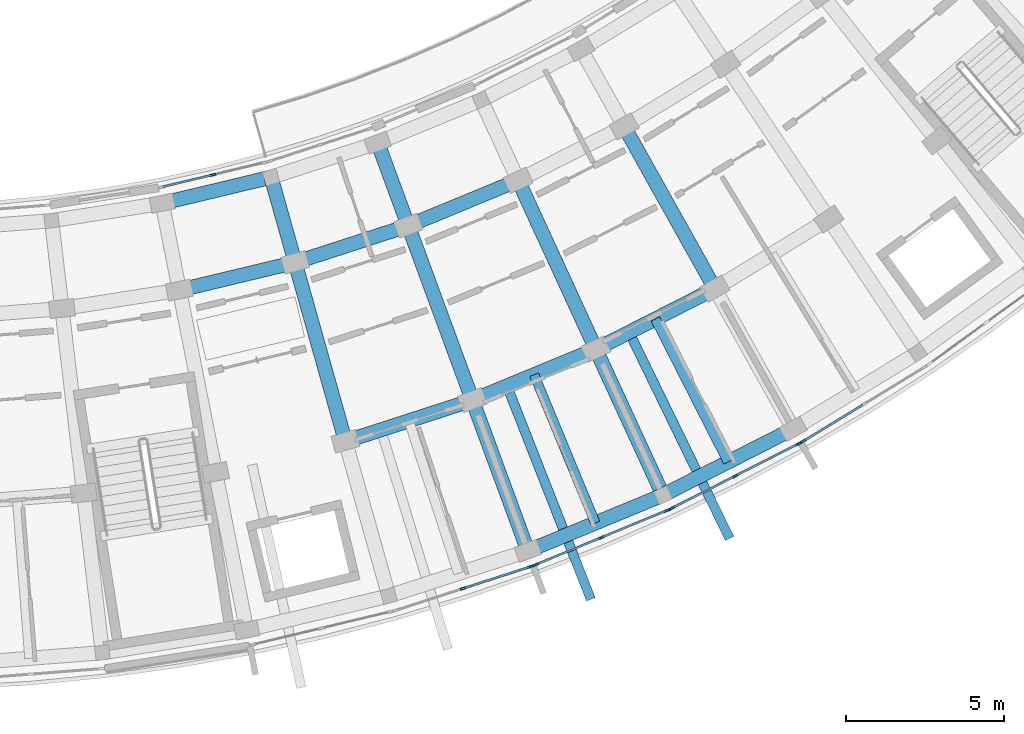
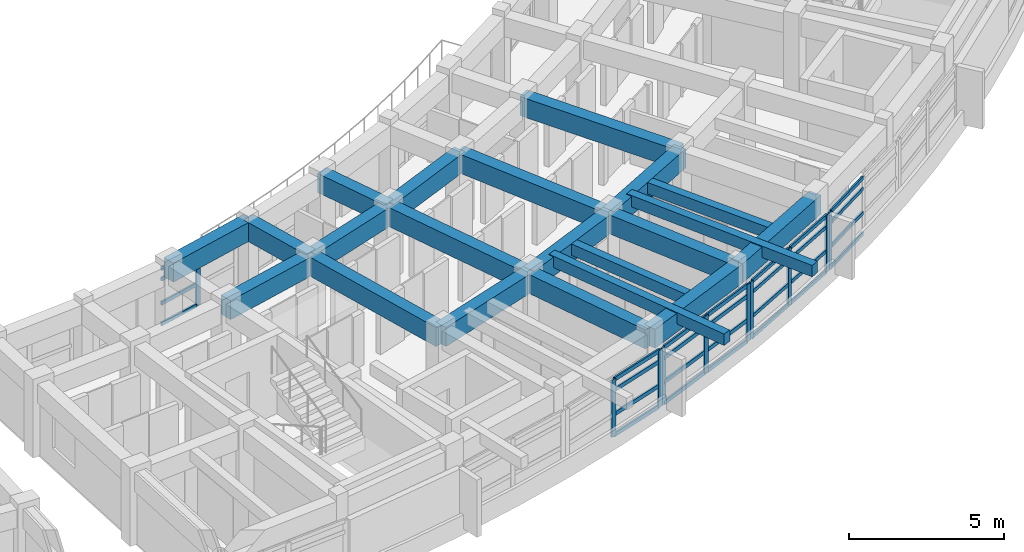
# One storey, part 17 of 56: 38 members, 21 beams, 5 elements without a shape of their own.
"""IFC4 building model written with IfcOpenShell, lengths in metres."""

from ifc_helpers import new_model, si_unit, direction, frame, origin, origin_2d, place, context, subcontext, project, spatial, rectangle, extrude, material, material_profile, profile_set, type_object, element, aggregate, save


model = new_model("IFC4")

# Units and contexts
model_context = context("Model", 3, precision=1e-05, world=origin(), true_north=direction((0.0, 1.0)))
body_context = subcontext(model_context, "Body", "Model", "MODEL_VIEW")
ifc_project = project(units=[si_unit("LENGTHUNIT", "METRE"), si_unit("AREAUNIT", "SQUARE_METRE"), si_unit("VOLUMEUNIT", "CUBIC_METRE"), si_unit("PLANEANGLEUNIT", "RADIAN"), si_unit("MASSUNIT", "GRAM", prefix="KILO")], contexts=[model_context])

# Site, building, storey
site_placement = place(None, origin())
site = spatial("IfcSite", under=ifc_project, at=site_placement, CompositionType="ELEMENT")
building_placement = place(site_placement, origin())
building = spatial("IfcBuilding", under=site, at=building_placement, Name="Zimvara Arc Housing Community", CompositionType="ELEMENT")
storey_placement = place(building_placement, frame((0.0, 0.0, 11.199951171875)))
storey = spatial("IfcBuildingStorey", under=building, at=storey_placement, Name="L03", CompositionType="ELEMENT", Elevation=11.199951171875)

# Beams
ifc_material_1 = material(Name="Concrete C40/50", Category="concrete")
ifc_material_profile_1 = material_profile(ifc_material_1, rectangle(XDim=0.300048828125, YDim=0.449951171875, at=origin_2d()), Name="RC 300x450")
ifc_profile_set_1 = profile_set([ifc_material_profile_1], Name="Concrete C40/50")
beam_type_1 = type_object("IfcBeamType", Name="BM-RC-300x450", PredefinedType="JOIST", material=ifc_profile_set_1)
beam_1_placement = place(storey_placement, frame((146.509033203125, 60.17578125, 2.635009765625), z_axis=(0.381881623909, -0.924211244966, 0.0), x_axis=(0.924211244966, 0.381881623909, 0.0)))
element("IfcBeam", 1, at=beam_1_placement, inside=storey, type_object=beam_type_1, Name="bm:blkD:L03:joist:b4", PredefinedType="JOIST", context=body_context, shape_type="SweptSolid", body=[
    extrude(rectangle(XDim=0.300048828125, YDim=0.449951171875, at=origin_2d()), origin(), (0.0, 0.0, 1.0), 5.076171875),
])
beam_2_placement = place(storey_placement, frame((150.343994140625, 61.939453125, 2.635009765625), z_axis=(0.453225300679, -0.891395998883, 0.0), x_axis=(0.891395998883, 0.453225300679, 0.0)))
element("IfcBeam", 2, at=beam_2_placement, inside=storey, type_object=beam_type_1, Name="bm:blkD:L03:joist:b5", PredefinedType="JOIST", context=body_context, shape_type="SweptSolid", body=[
    extrude(rectangle(XDim=0.300048828125, YDim=0.449951171875, at=origin_2d()), origin(), (0.0, 0.0, 1.0), 5.075927734375),
])
beam_3_placement = place(storey_placement, frame((145.662841796875, 59.789794921875, 2.6650390625), z_axis=(0.365839634119, -0.930677904598, 0.0), x_axis=(0.930677904598, 0.365839634119, 0.0)))
element("IfcBeam", 3, at=beam_3_placement, inside=storey, type_object=beam_type_1, Name="bm:blkD:L03:cant_out:b4", PredefinedType="JOIST", context=body_context, shape_type="SweptSolid", body=[
    extrude(rectangle(XDim=0.300048828125, YDim=0.449951171875, at=origin_2d()), origin(), (0.0, 0.0, 1.0), 7.219970703125),
])
beam_4_placement = place(storey_placement, frame((149.530517578125, 61.488525390625, 2.6650390625), z_axis=(0.437747988068, -0.89909771379, 0.0), x_axis=(0.89909771379, 0.437747988068, 0.0)))
element("IfcBeam", 4, at=beam_4_placement, inside=storey, type_object=beam_type_1, Name="bm:blkD:L03:cant_out:b5", PredefinedType="JOIST", context=body_context, shape_type="SweptSolid", body=[
    extrude(rectangle(XDim=0.300048828125, YDim=0.449951171875, at=origin_2d()), origin(), (0.0, 0.0, 1.0), 7.22021484375),
])
ifc_material_2 = material(Name="Concrete C40/50", Category="concrete")
ifc_material_profile_2 = material_profile(ifc_material_2, rectangle(XDim=0.449951171875, YDim=0.75, at=origin_2d()), Name="RC 450x750")
ifc_profile_set_2 = profile_set([ifc_material_profile_2], Name="Concrete C40/50")
beam_type_2 = type_object("IfcBeamType", Name="BM-RC-450x750", PredefinedType="BEAM", material=ifc_profile_set_2)
beam_5_placement = place(storey_placement, frame((134.743896484375, 65.599365234375, 2.485107421875), z_axis=(0.972576519525, 0.232583132813, 0.0), x_axis=(-0.232583132813, 0.972576519525, 0.0)))
element("IfcBeam", 5, at=beam_5_placement, inside=storey, type_object=beam_type_2, Name="bm:blkD:L03:chord:r0:b2", PredefinedType="BEAM", context=body_context, shape_type="SweptSolid", body=[
    extrude(rectangle(XDim=0.449951171875, YDim=0.75, at=origin_2d()), origin(), (0.0, 0.0, 1.0), 3.542724609375),
])
beam_6_placement = place(storey_placement, frame((135.28759765625, 62.8525390625, 2.485107421875), z_axis=(0.97257251046, 0.232599896598, 0.0), x_axis=(-0.232599896598, 0.97257251046, 0.0)))
element("IfcBeam", 6, at=beam_6_placement, inside=storey, type_object=beam_type_2, Name="bm:blkD:L03:chord:r1:b2", PredefinedType="BEAM", context=body_context, shape_type="SweptSolid", body=[
    extrude(rectangle(XDim=0.449951171875, YDim=0.75, at=origin_2d()), origin(), (0.0, 0.0, 1.0), 3.762939453125),
])
beam_7_placement = place(storey_placement, frame((138.947265625, 63.727783203125, 2.485107421875), z_axis=(0.951316439628, 0.308215884881, 0.0), x_axis=(-0.308215884881, 0.951316439628, 0.0)))
element("IfcBeam", 7, at=beam_7_placement, inside=storey, type_object=beam_type_2, Name="bm:blkD:L03:chord:r1:b3", PredefinedType="BEAM", context=body_context, shape_type="SweptSolid", body=[
    extrude(rectangle(XDim=0.449951171875, YDim=0.75, at=origin_2d()), origin(), (0.0, 0.0, 1.0), 3.762451171875),
])
beam_8_placement = place(storey_placement, frame((142.526611328125, 64.887451171875, 2.485107421875), z_axis=(0.924224591922, 0.381849320658, 0.0), x_axis=(-0.381849320658, 0.924224591922, 0.0)))
element("IfcBeam", 8, at=beam_8_placement, inside=storey, type_object=beam_type_2, Name="bm:blkD:L03:chord:r1:b4", PredefinedType="BEAM", context=body_context, shape_type="SweptSolid", body=[
    extrude(rectangle(XDim=0.449951171875, YDim=0.75, at=origin_2d()), origin(), (0.0, 0.0, 1.0), 3.7626953125),
])
beam_9_placement = place(storey_placement, frame((140.538330078125, 58.067138671875, 2.485107421875), z_axis=(0.951319487454, 0.308206477528, 0.0), x_axis=(-0.308206477528, 0.951319487454, 0.0)))
element("IfcBeam", 9, at=beam_9_placement, inside=storey, type_object=beam_type_2, Name="bm:blkD:L03:chord:r2:b3", PredefinedType="BEAM", context=body_context, shape_type="SweptSolid", body=[
    extrude(rectangle(XDim=0.449951171875, YDim=0.75, at=origin_2d()), origin(), (0.0, 0.0, 1.0), 4.224365234375),
])
beam_10_placement = place(storey_placement, frame((144.55712890625, 59.369140625, 2.485107421875), z_axis=(0.924220191381, 0.381859971512, 0.0), x_axis=(-0.381859971512, 0.924220191381, 0.0)))
element("IfcBeam", 10, at=beam_10_placement, inside=storey, type_object=beam_type_2, Name="bm:blkD:L03:chord:r2:b4", PredefinedType="BEAM", context=body_context, shape_type="SweptSolid", body=[
    extrude(rectangle(XDim=0.449951171875, YDim=0.75, at=origin_2d()), origin(), (0.0, 0.0, 1.0), 4.22412109375),
])
beam_11_placement = place(storey_placement, frame((148.461181640625, 60.982177734375, 2.485107421875), z_axis=(0.891401751243, 0.453213986855, 0.0), x_axis=(-0.453213986855, 0.891401751243, 0.0)))
element("IfcBeam", 11, at=beam_11_placement, inside=storey, type_object=beam_type_2, Name="bm:blkD:L03:chord:r2:b5", PredefinedType="BEAM", context=body_context, shape_type="SweptSolid", body=[
    extrude(rectangle(XDim=0.449951171875, YDim=0.75, at=origin_2d()), origin(), (0.0, 0.0, 1.0), 4.224365234375),
])
beam_12_placement = place(storey_placement, frame((146.311279296875, 54.6015625, 2.485107421875), z_axis=(0.924218077134, 0.38186508861, 0.0), x_axis=(-0.38186508861, 0.924218077134, 0.0)))
element("IfcBeam", 12, at=beam_12_placement, inside=storey, type_object=beam_type_2, Name="bm:blkD:L03:chord:r3:b4", PredefinedType="BEAM", context=body_context, shape_type="SweptSolid", body=[
    extrude(rectangle(XDim=0.449951171875, YDim=0.75, at=origin_2d()), origin(), (0.0, 0.0, 1.0), 4.623046875),
])
beam_13_placement = place(storey_placement, frame((150.583984375, 56.366943359375, 2.485107421875), z_axis=(0.891386215037, 0.453244542871, 0.0), x_axis=(-0.453244542871, 0.891386215037, 0.0)))
element("IfcBeam", 13, at=beam_13_placement, inside=storey, type_object=beam_type_2, Name="bm:blkD:L03:chord:r3:b5", PredefinedType="BEAM", context=body_context, shape_type="SweptSolid", body=[
    extrude(rectangle(XDim=0.449951171875, YDim=0.75, at=origin_2d()), origin(), (0.0, 0.0, 1.0), 4.623291015625),
])
beam_14_placement = place(storey_placement, frame((138.189453125, 66.42333984375, 2.485107421875), z_axis=(0.270642050381, -0.962680050986, 0.0), x_axis=(0.962680050986, 0.270642050381, 0.0)))
element("IfcBeam", 14, at=beam_14_placement, inside=storey, type_object=beam_type_2, Name="bm:blkD:L03:rad:b3:r01", PredefinedType="BEAM", context=body_context, shape_type="SweptSolid", body=[
    extrude(rectangle(XDim=0.449951171875, YDim=0.75, at=origin_2d()), origin(), (0.0, 0.0, 1.0), 2.800048828125),
])
beam_15_placement = place(storey_placement, frame((138.947265625, 63.727783203125, 2.485107421875), z_axis=(0.270589260785, -0.962694890372, 0.0), x_axis=(0.962694890372, 0.270589260785, 0.0)))
element("IfcBeam", 15, at=beam_15_placement, inside=storey, type_object=beam_type_2, Name="bm:blkD:L03:rad:b3:r12", PredefinedType="BEAM", context=body_context, shape_type="SweptSolid", body=[
    extrude(rectangle(XDim=0.449951171875, YDim=0.75, at=origin_2d()), origin(), (0.0, 0.0, 1.0), 5.8798828125),
])
beam_16_placement = place(storey_placement, frame((141.559814453125, 67.51513671875, 2.485107421875), z_axis=(0.345297205079, -0.93849338845, 0.0), x_axis=(0.93849338845, 0.345297205079, 0.0)))
element("IfcBeam", 16, at=beam_16_placement, inside=storey, type_object=beam_type_2, Name="bm:blkD:L03:rad:b4:r01", PredefinedType="BEAM", context=body_context, shape_type="SweptSolid", body=[
    extrude(rectangle(XDim=0.449951171875, YDim=0.75, at=origin_2d()), origin(), (0.0, 0.0, 1.0), 2.7998046875),
])
beam_17_placement = place(storey_placement, frame((142.526611328125, 64.887451171875, 2.485107421875), z_axis=(0.345324356241, -0.938483398354, 0.0), x_axis=(0.938483398354, 0.345324356241, 0.0)))
element("IfcBeam", 17, at=beam_17_placement, inside=storey, type_object=beam_type_2, Name="bm:blkD:L03:rad:b4:r12", PredefinedType="BEAM", context=body_context, shape_type="SweptSolid", body=[
    extrude(rectangle(XDim=0.449951171875, YDim=0.75, at=origin_2d()), origin(), (0.0, 0.0, 1.0), 5.880126953125),
])
beam_18_placement = place(storey_placement, frame((144.55712890625, 59.369140625, 2.485107421875), z_axis=(0.345302219392, -0.938491543533, 0.0), x_axis=(0.938491543533, 0.345302219392, 0.0)))
element("IfcBeam", 18, at=beam_18_placement, inside=storey, type_object=beam_type_2, Name="bm:blkD:L03:rad:b4:r23", PredefinedType="BEAM", context=body_context, shape_type="SweptSolid", body=[
    extrude(rectangle(XDim=0.449951171875, YDim=0.75, at=origin_2d()), origin(), (0.0, 0.0, 1.0), 5.080078125),
])
beam_19_placement = place(storey_placement, frame((146.004150390625, 66.32421875, 2.485107421875), z_axis=(0.417862428621, -0.908510314056, 0.0), x_axis=(0.908510314056, 0.417862428621, 0.0)))
element("IfcBeam", 19, at=beam_19_placement, inside=storey, type_object=beam_type_2, Name="bm:blkD:L03:rad:b5:r12", PredefinedType="BEAM", context=body_context, shape_type="SweptSolid", body=[
    extrude(rectangle(XDim=0.449951171875, YDim=0.75, at=origin_2d()), origin(), (0.0, 0.0, 1.0), 5.8798828125),
])
beam_20_placement = place(storey_placement, frame((148.461181640625, 60.982177734375, 2.485107421875), z_axis=(0.417872288794, -0.90850577888, 0.0), x_axis=(0.90850577888, 0.417872288794, 0.0)))
element("IfcBeam", 20, at=beam_20_placement, inside=storey, type_object=beam_type_2, Name="bm:blkD:L03:rad:b5:r23", PredefinedType="BEAM", context=body_context, shape_type="SweptSolid", body=[
    extrude(rectangle(XDim=0.449951171875, YDim=0.75, at=origin_2d()), origin(), (0.0, 0.0, 1.0), 5.080078125),
])
beam_21_placement = place(storey_placement, frame((149.358154296875, 68.029541015625, 2.485107421875), z_axis=(0.487862302556, -0.872920599909, 0.0), x_axis=(0.872920599909, 0.487862302556, 0.0)))
element("IfcBeam", 21, at=beam_21_placement, inside=storey, type_object=beam_type_2, Name="bm:blkD:L03:rad:b6:r12", PredefinedType="BEAM", context=body_context, shape_type="SweptSolid", body=[
    extrude(rectangle(XDim=0.449951171875, YDim=0.75, at=origin_2d()), origin(), (0.0, 0.0, 1.0), 5.880126953125),
])

# Curtain wall, member
ifc_material_3 = material(Name="Anodised Aluminium AW-6063", Category="aluminium")
curtain_wall_type_1 = type_object("IfcCurtainWallType", Name="CW-SYS-06", PredefinedType="USERDEFINED", material=ifc_material_3)
curtain_wall_1_placement = place(storey_placement, origin())
curtain_wall_1 = element("IfcCurtainWall", 22, at=curtain_wall_1_placement, inside=storey, type_object=curtain_wall_type_1, Name="cw:blkD:L03:in:b2", ObjectType="CURTAIN WALL", PredefinedType="USERDEFINED")
ifc_material_4 = material(Name="Anodised Aluminium AW-6063", Category="aluminium")
ifc_material_profile_3 = material_profile(ifc_material_4, rectangle(XDim=0.06494140625, YDim=0.179931640625, at=origin_2d()), Name="ALU 65x180")
ifc_profile_set_3 = profile_set([ifc_material_profile_3], Name="Anodised Aluminium AW-6063")
member_type_1 = type_object("IfcMemberType", Name="CWM-65x150", PredefinedType="MULLION", material=ifc_profile_set_3)
member_1_placement = place(storey_placement, frame((136.3505859375, 66.497314453125, 0.0), z_axis=(0.0, 0.0, 1.0), x_axis=(-0.232596003485, 0.972573441526, 0.0)))
member_1 = element("IfcMember", 23, at=member_1_placement, type_object=member_type_1, Name="CW06 mullion 2", PredefinedType="MULLION", context=body_context, shape_type="SweptSolid", body=[
    extrude(rectangle(XDim=0.06494140625, YDim=0.179931640625, at=origin_2d()), origin(), (0.0, 0.0, 1.0), 2.25),
])

# Curtain wall, members
ifc_material_5 = material(Name="Anodised Aluminium AW-6063", Category="aluminium")
curtain_wall_type_2 = type_object("IfcCurtainWallType", Name="CW-SYS-02", PredefinedType="USERDEFINED", material=ifc_material_5)
curtain_wall_2_placement = place(storey_placement, origin())
curtain_wall_2 = element("IfcCurtainWall", 24, at=curtain_wall_2_placement, inside=storey, type_object=curtain_wall_type_2, Name="cw:blkD:L03:out:b5", ObjectType="CURTAIN WALL", PredefinedType="USERDEFINED")
member_2_placement = place(storey_placement, frame((150.87548828125, 55.95458984375, 0.0), z_axis=(0.0, 0.0, 1.0), x_axis=(-0.453211662605, 0.891402932954, 0.0)))
member_2 = element("IfcMember", 25, at=member_2_placement, type_object=member_type_1, Name="CW02 mullion 1", PredefinedType="MULLION", context=body_context, shape_type="SweptSolid", body=[
    extrude(rectangle(XDim=0.06494140625, YDim=0.179931640625, at=origin_2d()), origin(), (0.0, 0.0, 1.0), 2.25),
])
member_3_placement = place(storey_placement, frame((152.87109375, 56.96923828125, 0.0), z_axis=(0.0, 0.0, 1.0), x_axis=(-0.453211662605, 0.891402932954, 0.0)))
member_3 = element("IfcMember", 26, at=member_3_placement, type_object=member_type_1, Name="CW02 mullion 2", PredefinedType="MULLION", context=body_context, shape_type="SweptSolid", body=[
    extrude(rectangle(XDim=0.06494140625, YDim=0.179931640625, at=origin_2d()), origin(), (0.0, 0.0, 1.0), 2.25),
])
member_4_placement = place(storey_placement, frame((154.86669921875, 57.98388671875, 0.0), z_axis=(0.0, 0.0, 1.0), x_axis=(-0.453211662605, 0.891402932954, 0.0)))
member_4 = element("IfcMember", 27, at=member_4_placement, type_object=member_type_1, Name="CW02 mullion 3", PredefinedType="MULLION", context=body_context, shape_type="SweptSolid", body=[
    extrude(rectangle(XDim=0.06494140625, YDim=0.179931640625, at=origin_2d()), origin(), (0.0, 0.0, 1.0), 2.25),
])

# Curtain wall, member
ifc_material_6 = material(Name="Anodised Aluminium AW-6063", Category="aluminium")
curtain_wall_type_3 = type_object("IfcCurtainWallType", Name="CW-SYS-04", PredefinedType="USERDEFINED", material=ifc_material_6)
curtain_wall_3_placement = place(storey_placement, origin())
curtain_wall_3 = element("IfcCurtainWall", 28, at=curtain_wall_3_placement, inside=storey, type_object=curtain_wall_type_3, Name="cw:blkD:L03:out:b6", ObjectType="CURTAIN WALL", PredefinedType="USERDEFINED")
member_5_placement = place(storey_placement, frame((155.028076171875, 58.07421875, 0.0), z_axis=(0.0, 0.0, 1.0), x_axis=(-0.521754248513, 0.853095835272, 0.0)))
member_5 = element("IfcMember", 29, at=member_5_placement, type_object=member_type_1, Name="CW04 mullion 1", PredefinedType="MULLION", context=body_context, shape_type="SweptSolid", body=[
    extrude(rectangle(XDim=0.06494140625, YDim=0.179931640625, at=origin_2d()), origin(), (0.0, 0.0, 1.0), 2.25),
])

# Curtain wall, members
ifc_material_7 = material(Name="Anodised Aluminium AW-6063", Category="aluminium")
curtain_wall_type_4 = type_object("IfcCurtainWallType", Name="CW-SYS-07", PredefinedType="USERDEFINED", material=ifc_material_7)
curtain_wall_4_placement = place(storey_placement, origin())
curtain_wall_4 = element("IfcCurtainWall", 30, at=curtain_wall_4_placement, inside=storey, type_object=curtain_wall_type_4, Name="cw:blkD:L03:out:b3", ObjectType="CURTAIN WALL", PredefinedType="USERDEFINED")
ifc_material_8 = material(Name="Anodised Aluminium AW-6063", Category="aluminium")
ifc_material_profile_4 = material_profile(ifc_material_8, rectangle(XDim=0.06494140625, YDim=0.195068359375, at=origin_2d()), Name="ALU 65x195")
ifc_profile_set_4 = profile_set([ifc_material_profile_4], Name="Anodised Aluminium AW-6063")
member_type_2 = type_object("IfcMemberType", Name="CWM-65x180", PredefinedType="MULLION", material=ifc_profile_set_4)
member_6_placement = place(storey_placement, frame((144.26611328125, 53.413818359375, 0.0), z_axis=(0.0, 0.0, 1.0), x_axis=(-0.308184952203, 0.951326460914, 0.0)))
member_6 = element("IfcMember", 31, at=member_6_placement, type_object=member_type_2, Name="CW07 mullion 2", PredefinedType="MULLION", context=body_context, shape_type="SweptSolid", body=[
    extrude(rectangle(XDim=0.06494140625, YDim=0.195068359375, at=origin_2d()), origin(), (0.0, 0.0, 1.0), 2.25),
])
member_7_placement = place(storey_placement, frame((146.395751953125, 54.103759765625, 0.0), z_axis=(0.0, 0.0, 1.0), x_axis=(-0.308184952203, 0.951326460914, 0.0)))
member_7 = element("IfcMember", 32, at=member_7_placement, type_object=member_type_2, Name="CW07 mullion 3", PredefinedType="MULLION", context=body_context, shape_type="SweptSolid", body=[
    extrude(rectangle(XDim=0.06494140625, YDim=0.195068359375, at=origin_2d()), origin(), (0.0, 0.0, 1.0), 2.25),
])

ifc_material_9 = material(Name="Anodised Aluminium AW-6063", Category="aluminium")
curtain_wall_type_5 = type_object("IfcCurtainWallType", Name="CW-SYS-01", PredefinedType="USERDEFINED", material=ifc_material_9)
curtain_wall_5_placement = place(storey_placement, origin())
curtain_wall_5 = element("IfcCurtainWall", 33, at=curtain_wall_5_placement, inside=storey, type_object=curtain_wall_type_5, Name="cw:blkD:L03:out:b4", ObjectType="CURTAIN WALL", PredefinedType="USERDEFINED")
member_8_placement = place(storey_placement, frame((146.5693359375, 54.167724609375, 0.0), z_axis=(0.0, 0.0, 1.0), x_axis=(-0.38187646221, 0.924213377749, 0.0)))
member_8 = element("IfcMember", 34, at=member_8_placement, type_object=member_type_2, Name="CW01 mullion 1", PredefinedType="MULLION", context=body_context, shape_type="SweptSolid", body=[
    extrude(rectangle(XDim=0.06494140625, YDim=0.195068359375, at=origin_2d()), origin(), (0.0, 0.0, 1.0), 2.25),
])
member_9_placement = place(storey_placement, frame((148.638427734375, 55.0224609375, 0.0), z_axis=(0.0, 0.0, 1.0), x_axis=(-0.38187646221, 0.924213377749, 0.0)))
member_9 = element("IfcMember", 35, at=member_9_placement, type_object=member_type_2, Name="CW01 mullion 2", PredefinedType="MULLION", context=body_context, shape_type="SweptSolid", body=[
    extrude(rectangle(XDim=0.06494140625, YDim=0.195068359375, at=origin_2d()), origin(), (0.0, 0.0, 1.0), 2.25),
])
member_10_placement = place(storey_placement, frame((150.70751953125, 55.87744140625, 0.0), z_axis=(0.0, 0.0, 1.0), x_axis=(-0.38187646221, 0.924213377749, 0.0)))
member_10 = element("IfcMember", 36, at=member_10_placement, type_object=member_type_2, Name="CW01 mullion 3", PredefinedType="MULLION", context=body_context, shape_type="SweptSolid", body=[
    extrude(rectangle(XDim=0.06494140625, YDim=0.195068359375, at=origin_2d()), origin(), (0.0, 0.0, 1.0), 2.25),
])

# Member
ifc_material_10 = material(Name="Anodised Aluminium AW-6063", Category="aluminium")
ifc_material_profile_5 = material_profile(ifc_material_10, rectangle(XDim=0.06494140625, YDim=0.139892578125, at=origin_2d()), Name="ALU 65x140")
ifc_profile_set_5 = profile_set([ifc_material_profile_5], Name="Anodised Aluminium AW-6063")
member_type_3 = type_object("IfcMemberType", Name="CWT-65x120", PredefinedType="USERDEFINED", material=ifc_profile_set_5)
member_11_placement = place(storey_placement, frame((134.768310546875, 66.118896484375, 0.032470703125), z_axis=(0.972569101566, 0.232614149784, 0.0), x_axis=(-0.232614149784, 0.972569101566, 0.0)))
member_11 = element("IfcMember", 37, at=member_11_placement, type_object=member_type_3, Name="CW06 transom 1.1", ObjectType="TRANSOM", PredefinedType="USERDEFINED", context=body_context, shape_type="SweptSolid", body=[
    extrude(rectangle(XDim=0.06494140625, YDim=0.139892578125, at=origin_2d()), origin(), (0.0, 0.0, 1.0), 1.59423828125),
])

member_12_placement = place(storey_placement, frame((134.768310546875, 66.118896484375, 0.85009765625), z_axis=(0.972569101566, 0.232614149784, 0.0), x_axis=(-0.232614149784, 0.972569101566, 0.0)))
member_12 = element("IfcMember", 38, at=member_12_placement, type_object=member_type_3, Name="CW06 transom 1.2", ObjectType="TRANSOM", PredefinedType="USERDEFINED", context=body_context, shape_type="SweptSolid", body=[
    extrude(rectangle(XDim=0.06494140625, YDim=0.139892578125, at=origin_2d()), origin(), (0.0, 0.0, 1.0), 1.59423828125),
])

member_13_placement = place(storey_placement, frame((134.768310546875, 66.118896484375, 1.800048828125), z_axis=(0.972569101566, 0.232614149784, 0.0), x_axis=(-0.232614149784, 0.972569101566, 0.0)))
member_13 = element("IfcMember", 39, at=member_13_placement, type_object=member_type_3, Name="CW06 transom 1.3", ObjectType="TRANSOM", PredefinedType="USERDEFINED", context=body_context, shape_type="SweptSolid", body=[
    extrude(rectangle(XDim=0.06494140625, YDim=0.139892578125, at=origin_2d()), origin(), (0.0, 0.0, 1.0), 1.59423828125),
])

member_14_placement = place(storey_placement, frame((134.768310546875, 66.118896484375, 2.217529296875), z_axis=(0.972569101566, 0.232614149784, 0.0), x_axis=(-0.232614149784, 0.972569101566, 0.0)))
member_14 = element("IfcMember", 40, at=member_14_placement, type_object=member_type_3, Name="CW06 transom 1.4", ObjectType="TRANSOM", PredefinedType="USERDEFINED", context=body_context, shape_type="SweptSolid", body=[
    extrude(rectangle(XDim=0.06494140625, YDim=0.139892578125, at=origin_2d()), origin(), (0.0, 0.0, 1.0), 1.59423828125),
])

aggregate(curtain_wall_1, [member_1, member_11, member_12, member_13, member_14])

member_15_placement = place(storey_placement, frame((150.904296875, 55.969482421875, 0.032470703125), z_axis=(0.891419736395, 0.453178611107, 0.0), x_axis=(-0.453178611107, 0.891419736395, 0.0)))
member_15 = element("IfcMember", 41, at=member_15_placement, type_object=member_type_3, Name="CW02 transom 1.1", ObjectType="TRANSOM", PredefinedType="USERDEFINED", context=body_context, shape_type="SweptSolid", body=[
    extrude(rectangle(XDim=0.06494140625, YDim=0.139892578125, at=origin_2d()), origin(), (0.0, 0.0, 1.0), 2.173828125),
])

member_16_placement = place(storey_placement, frame((150.904296875, 55.969482421875, 0.85009765625), z_axis=(0.891419736395, 0.453178611107, 0.0), x_axis=(-0.453178611107, 0.891419736395, 0.0)))
member_16 = element("IfcMember", 42, at=member_16_placement, type_object=member_type_3, Name="CW02 transom 1.2", ObjectType="TRANSOM", PredefinedType="USERDEFINED", context=body_context, shape_type="SweptSolid", body=[
    extrude(rectangle(XDim=0.06494140625, YDim=0.139892578125, at=origin_2d()), origin(), (0.0, 0.0, 1.0), 2.173828125),
])

member_17_placement = place(storey_placement, frame((150.904296875, 55.969482421875, 1.800048828125), z_axis=(0.891419736395, 0.453178611107, 0.0), x_axis=(-0.453178611107, 0.891419736395, 0.0)))
member_17 = element("IfcMember", 43, at=member_17_placement, type_object=member_type_3, Name="CW02 transom 1.3", ObjectType="TRANSOM", PredefinedType="USERDEFINED", context=body_context, shape_type="SweptSolid", body=[
    extrude(rectangle(XDim=0.06494140625, YDim=0.139892578125, at=origin_2d()), origin(), (0.0, 0.0, 1.0), 2.173828125),
])

member_18_placement = place(storey_placement, frame((150.904296875, 55.969482421875, 2.217529296875), z_axis=(0.891419736395, 0.453178611107, 0.0), x_axis=(-0.453178611107, 0.891419736395, 0.0)))
member_18 = element("IfcMember", 44, at=member_18_placement, type_object=member_type_3, Name="CW02 transom 1.4", ObjectType="TRANSOM", PredefinedType="USERDEFINED", context=body_context, shape_type="SweptSolid", body=[
    extrude(rectangle(XDim=0.06494140625, YDim=0.139892578125, at=origin_2d()), origin(), (0.0, 0.0, 1.0), 2.173828125),
])

member_19_placement = place(storey_placement, frame((152.89990234375, 56.984130859375, 0.032470703125), z_axis=(0.891419736395, 0.453178611107, 0.0), x_axis=(-0.453178611107, 0.891419736395, 0.0)))
member_19 = element("IfcMember", 45, at=member_19_placement, type_object=member_type_3, Name="CW02 transom 2.1", ObjectType="TRANSOM", PredefinedType="USERDEFINED", context=body_context, shape_type="SweptSolid", body=[
    extrude(rectangle(XDim=0.06494140625, YDim=0.139892578125, at=origin_2d()), origin(), (0.0, 0.0, 1.0), 2.173828125),
])

member_20_placement = place(storey_placement, frame((152.89990234375, 56.984130859375, 0.85009765625), z_axis=(0.891419736395, 0.453178611107, 0.0), x_axis=(-0.453178611107, 0.891419736395, 0.0)))
member_20 = element("IfcMember", 46, at=member_20_placement, type_object=member_type_3, Name="CW02 transom 2.2", ObjectType="TRANSOM", PredefinedType="USERDEFINED", context=body_context, shape_type="SweptSolid", body=[
    extrude(rectangle(XDim=0.06494140625, YDim=0.139892578125, at=origin_2d()), origin(), (0.0, 0.0, 1.0), 2.173828125),
])

member_21_placement = place(storey_placement, frame((152.89990234375, 56.984130859375, 1.800048828125), z_axis=(0.891419736395, 0.453178611107, 0.0), x_axis=(-0.453178611107, 0.891419736395, 0.0)))
member_21 = element("IfcMember", 47, at=member_21_placement, type_object=member_type_3, Name="CW02 transom 2.3", ObjectType="TRANSOM", PredefinedType="USERDEFINED", context=body_context, shape_type="SweptSolid", body=[
    extrude(rectangle(XDim=0.06494140625, YDim=0.139892578125, at=origin_2d()), origin(), (0.0, 0.0, 1.0), 2.173828125),
])

member_22_placement = place(storey_placement, frame((152.89990234375, 56.984130859375, 2.217529296875), z_axis=(0.891419736395, 0.453178611107, 0.0), x_axis=(-0.453178611107, 0.891419736395, 0.0)))
member_22 = element("IfcMember", 48, at=member_22_placement, type_object=member_type_3, Name="CW02 transom 2.4", ObjectType="TRANSOM", PredefinedType="USERDEFINED", context=body_context, shape_type="SweptSolid", body=[
    extrude(rectangle(XDim=0.06494140625, YDim=0.139892578125, at=origin_2d()), origin(), (0.0, 0.0, 1.0), 2.173828125),
])

aggregate(curtain_wall_2, [member_2, member_3, member_4, member_15, member_16, member_17, member_18, member_19, member_20, member_21, member_22])

member_23_placement = place(storey_placement, frame((155.0556640625, 58.091064453125, 0.032470703125), z_axis=(0.85308189023, 0.521777048711, 0.0), x_axis=(-0.521777048711, 0.85308189023, 0.0)))
member_23 = element("IfcMember", 49, at=member_23_placement, type_object=member_type_3, Name="CW04 transom 1.1", ObjectType="TRANSOM", PredefinedType="USERDEFINED", context=body_context, shape_type="SweptSolid", body=[
    extrude(rectangle(XDim=0.06494140625, YDim=0.139892578125, at=origin_2d()), origin(), (0.0, 0.0, 1.0), 2.173828125),
])

member_24_placement = place(storey_placement, frame((155.0556640625, 58.091064453125, 0.85009765625), z_axis=(0.85308189023, 0.521777048711, 0.0), x_axis=(-0.521777048711, 0.85308189023, 0.0)))
member_24 = element("IfcMember", 50, at=member_24_placement, type_object=member_type_3, Name="CW04 transom 1.2", ObjectType="TRANSOM", PredefinedType="USERDEFINED", context=body_context, shape_type="SweptSolid", body=[
    extrude(rectangle(XDim=0.06494140625, YDim=0.139892578125, at=origin_2d()), origin(), (0.0, 0.0, 1.0), 2.173828125),
])

member_25_placement = place(storey_placement, frame((155.0556640625, 58.091064453125, 1.800048828125), z_axis=(0.85308189023, 0.521777048711, 0.0), x_axis=(-0.521777048711, 0.85308189023, 0.0)))
member_25 = element("IfcMember", 51, at=member_25_placement, type_object=member_type_3, Name="CW04 transom 1.3", ObjectType="TRANSOM", PredefinedType="USERDEFINED", context=body_context, shape_type="SweptSolid", body=[
    extrude(rectangle(XDim=0.06494140625, YDim=0.139892578125, at=origin_2d()), origin(), (0.0, 0.0, 1.0), 2.173828125),
])

member_26_placement = place(storey_placement, frame((155.0556640625, 58.091064453125, 2.217529296875), z_axis=(0.85308189023, 0.521777048711, 0.0), x_axis=(-0.521777048711, 0.85308189023, 0.0)))
member_26 = element("IfcMember", 52, at=member_26_placement, type_object=member_type_3, Name="CW04 transom 1.4", ObjectType="TRANSOM", PredefinedType="USERDEFINED", context=body_context, shape_type="SweptSolid", body=[
    extrude(rectangle(XDim=0.06494140625, YDim=0.139892578125, at=origin_2d()), origin(), (0.0, 0.0, 1.0), 2.173828125),
])

aggregate(curtain_wall_3, [member_5, member_23, member_24, member_25, member_26])

ifc_material_11 = material(Name="Anodised Aluminium AW-6063", Category="aluminium")
ifc_material_profile_6 = material_profile(ifc_material_11, rectangle(XDim=0.06494140625, YDim=0.155029296875, at=origin_2d()), Name="ALU 65x155")
ifc_profile_set_6 = profile_set([ifc_material_profile_6], Name="Anodised Aluminium AW-6063")
member_type_4 = type_object("IfcMemberType", Name="CWT-65x140", PredefinedType="USERDEFINED", material=ifc_profile_set_6)
member_27_placement = place(storey_placement, frame((144.296875, 53.423828125, 0.032470703125), z_axis=(0.951333207036, 0.308164127034, 0.0), x_axis=(-0.308164127034, 0.951333207036, 0.0)))
member_27 = element("IfcMember", 53, at=member_27_placement, type_object=member_type_4, Name="CW07 transom 2.1", ObjectType="TRANSOM", PredefinedType="USERDEFINED", context=body_context, shape_type="SweptSolid", body=[
    extrude(rectangle(XDim=0.06494140625, YDim=0.155029296875, at=origin_2d()), origin(), (0.0, 0.0, 1.0), 2.173828125),
])

member_28_placement = place(storey_placement, frame((144.296875, 53.423828125, 0.85009765625), z_axis=(0.951333207036, 0.308164127034, 0.0), x_axis=(-0.308164127034, 0.951333207036, 0.0)))
member_28 = element("IfcMember", 54, at=member_28_placement, type_object=member_type_4, Name="CW07 transom 2.2", ObjectType="TRANSOM", PredefinedType="USERDEFINED", context=body_context, shape_type="SweptSolid", body=[
    extrude(rectangle(XDim=0.06494140625, YDim=0.155029296875, at=origin_2d()), origin(), (0.0, 0.0, 1.0), 2.173828125),
])

member_29_placement = place(storey_placement, frame((144.296875, 53.423828125, 1.800048828125), z_axis=(0.951333207036, 0.308164127034, 0.0), x_axis=(-0.308164127034, 0.951333207036, 0.0)))
member_29 = element("IfcMember", 55, at=member_29_placement, type_object=member_type_4, Name="CW07 transom 2.3", ObjectType="TRANSOM", PredefinedType="USERDEFINED", context=body_context, shape_type="SweptSolid", body=[
    extrude(rectangle(XDim=0.06494140625, YDim=0.155029296875, at=origin_2d()), origin(), (0.0, 0.0, 1.0), 2.173828125),
])

member_30_placement = place(storey_placement, frame((144.296875, 53.423828125, 2.217529296875), z_axis=(0.951333207036, 0.308164127034, 0.0), x_axis=(-0.308164127034, 0.951333207036, 0.0)))
member_30 = element("IfcMember", 56, at=member_30_placement, type_object=member_type_4, Name="CW07 transom 2.4", ObjectType="TRANSOM", PredefinedType="USERDEFINED", context=body_context, shape_type="SweptSolid", body=[
    extrude(rectangle(XDim=0.06494140625, YDim=0.155029296875, at=origin_2d()), origin(), (0.0, 0.0, 1.0), 2.173828125),
])

aggregate(curtain_wall_4, [member_6, member_7, member_27, member_28, member_29, member_30])

member_31_placement = place(storey_placement, frame((146.599365234375, 54.179931640625, 0.032470703125), z_axis=(0.924219207316, 0.381862353248, 0.0), x_axis=(-0.381862353248, 0.924219207316, 0.0)))
member_31 = element("IfcMember", 57, at=member_31_placement, type_object=member_type_4, Name="CW01 transom 1.1", ObjectType="TRANSOM", PredefinedType="USERDEFINED", context=body_context, shape_type="SweptSolid", body=[
    extrude(rectangle(XDim=0.06494140625, YDim=0.155029296875, at=origin_2d()), origin(), (0.0, 0.0, 1.0), 2.173828125),
])

member_32_placement = place(storey_placement, frame((146.599365234375, 54.179931640625, 0.85009765625), z_axis=(0.924219207316, 0.381862353248, 0.0), x_axis=(-0.381862353248, 0.924219207316, 0.0)))
member_32 = element("IfcMember", 58, at=member_32_placement, type_object=member_type_4, Name="CW01 transom 1.2", ObjectType="TRANSOM", PredefinedType="USERDEFINED", context=body_context, shape_type="SweptSolid", body=[
    extrude(rectangle(XDim=0.06494140625, YDim=0.155029296875, at=origin_2d()), origin(), (0.0, 0.0, 1.0), 2.173828125),
])

member_33_placement = place(storey_placement, frame((146.599365234375, 54.179931640625, 1.800048828125), z_axis=(0.924219207316, 0.381862353248, 0.0), x_axis=(-0.381862353248, 0.924219207316, 0.0)))
member_33 = element("IfcMember", 59, at=member_33_placement, type_object=member_type_4, Name="CW01 transom 1.3", ObjectType="TRANSOM", PredefinedType="USERDEFINED", context=body_context, shape_type="SweptSolid", body=[
    extrude(rectangle(XDim=0.06494140625, YDim=0.155029296875, at=origin_2d()), origin(), (0.0, 0.0, 1.0), 2.173828125),
])

member_34_placement = place(storey_placement, frame((146.599365234375, 54.179931640625, 2.217529296875), z_axis=(0.924219207316, 0.381862353248, 0.0), x_axis=(-0.381862353248, 0.924219207316, 0.0)))
member_34 = element("IfcMember", 60, at=member_34_placement, type_object=member_type_4, Name="CW01 transom 1.4", ObjectType="TRANSOM", PredefinedType="USERDEFINED", context=body_context, shape_type="SweptSolid", body=[
    extrude(rectangle(XDim=0.06494140625, YDim=0.155029296875, at=origin_2d()), origin(), (0.0, 0.0, 1.0), 2.173828125),
])

member_35_placement = place(storey_placement, frame((148.66845703125, 55.034912109375, 0.032470703125), z_axis=(0.924219207316, 0.381862353248, 0.0), x_axis=(-0.381862353248, 0.924219207316, 0.0)))
member_35 = element("IfcMember", 61, at=member_35_placement, type_object=member_type_4, Name="CW01 transom 2.1", ObjectType="TRANSOM", PredefinedType="USERDEFINED", context=body_context, shape_type="SweptSolid", body=[
    extrude(rectangle(XDim=0.06494140625, YDim=0.155029296875, at=origin_2d()), origin(), (0.0, 0.0, 1.0), 2.173828125),
])

member_36_placement = place(storey_placement, frame((148.66845703125, 55.034912109375, 0.85009765625), z_axis=(0.924219207316, 0.381862353248, 0.0), x_axis=(-0.381862353248, 0.924219207316, 0.0)))
member_36 = element("IfcMember", 62, at=member_36_placement, type_object=member_type_4, Name="CW01 transom 2.2", ObjectType="TRANSOM", PredefinedType="USERDEFINED", context=body_context, shape_type="SweptSolid", body=[
    extrude(rectangle(XDim=0.06494140625, YDim=0.155029296875, at=origin_2d()), origin(), (0.0, 0.0, 1.0), 2.173828125),
])

member_37_placement = place(storey_placement, frame((148.66845703125, 55.034912109375, 1.800048828125), z_axis=(0.924219207316, 0.381862353248, 0.0), x_axis=(-0.381862353248, 0.924219207316, 0.0)))
member_37 = element("IfcMember", 63, at=member_37_placement, type_object=member_type_4, Name="CW01 transom 2.3", ObjectType="TRANSOM", PredefinedType="USERDEFINED", context=body_context, shape_type="SweptSolid", body=[
    extrude(rectangle(XDim=0.06494140625, YDim=0.155029296875, at=origin_2d()), origin(), (0.0, 0.0, 1.0), 2.173828125),
])

member_38_placement = place(storey_placement, frame((148.66845703125, 55.034912109375, 2.217529296875), z_axis=(0.924219207316, 0.381862353248, 0.0), x_axis=(-0.381862353248, 0.924219207316, 0.0)))
member_38 = element("IfcMember", 64, at=member_38_placement, type_object=member_type_4, Name="CW01 transom 2.4", ObjectType="TRANSOM", PredefinedType="USERDEFINED", context=body_context, shape_type="SweptSolid", body=[
    extrude(rectangle(XDim=0.06494140625, YDim=0.155029296875, at=origin_2d()), origin(), (0.0, 0.0, 1.0), 2.173828125),
])

aggregate(curtain_wall_5, [member_8, member_9, member_10, member_31, member_32, member_33, member_34, member_35, member_36, member_37, member_38])

save(model, "model.ifc")
